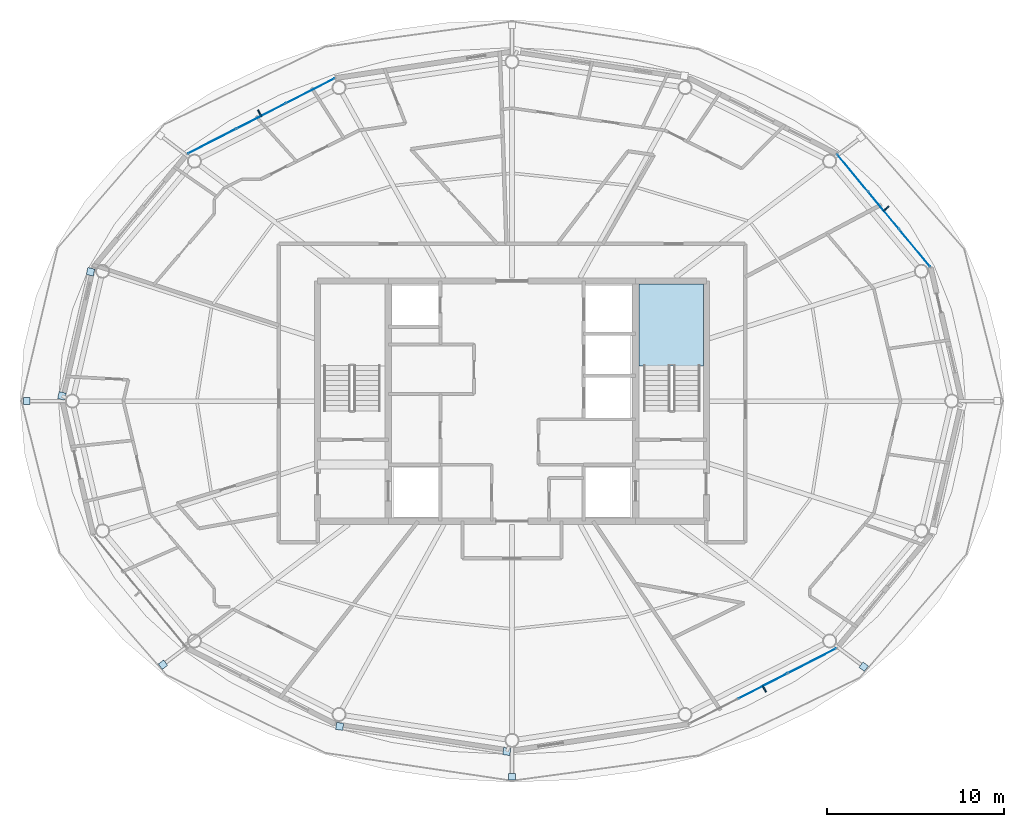
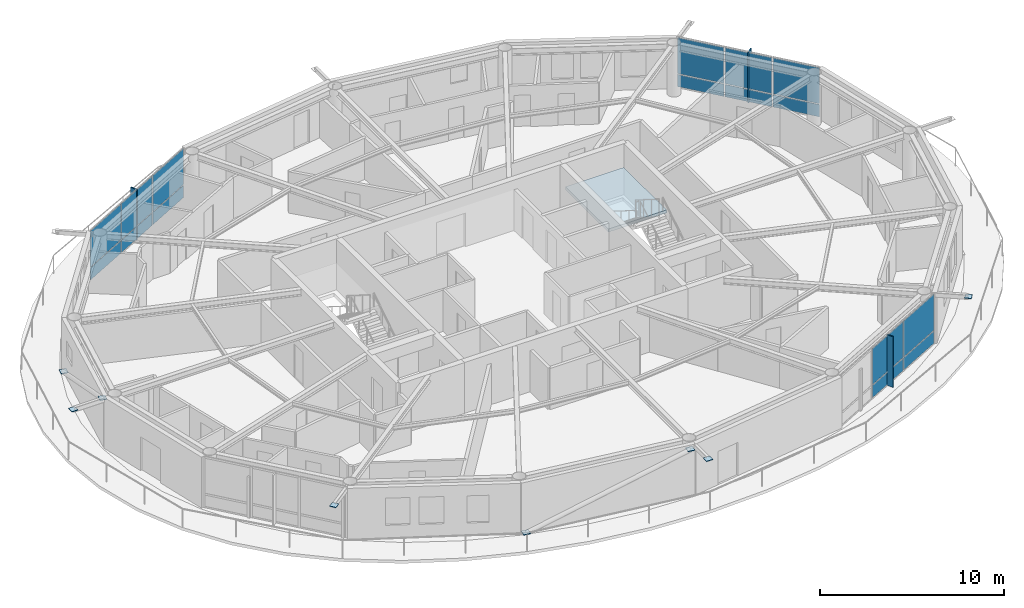
# One storey, part 14 of 22: 27 plates, 1 slab, 4 elements without a shape of their own.
"""IFC4 building model written with IfcOpenShell, lengths in metres."""

from ifc_helpers import new_model, si_unit, direction, frame, origin, origin_2d, place, context, subcontext, project, spatial, polyline, rectangle, outline, extrude, material, layer, layer_set, type_object, element, aggregate, save


model = new_model("IFC4")

# Units and contexts
model_context = context("Model", 3, precision=1e-05, world=origin(), true_north=direction((0.0, 1.0)))
body_context = subcontext(model_context, "Body", "Model", "MODEL_VIEW")
ifc_project = project(units=[si_unit("LENGTHUNIT", "METRE"), si_unit("AREAUNIT", "SQUARE_METRE"), si_unit("VOLUMEUNIT", "CUBIC_METRE"), si_unit("PLANEANGLEUNIT", "RADIAN"), si_unit("MASSUNIT", "GRAM", prefix="KILO")], contexts=[model_context])

# Site, building, storey
site_placement = place(None, origin())
site = spatial("IfcSite", under=ifc_project, at=site_placement, CompositionType="ELEMENT")
building_placement = place(site_placement, origin())
building = spatial("IfcBuilding", under=site, at=building_placement, Name="Sarneth Arch Tower", CompositionType="ELEMENT")
storey_placement = place(building_placement, frame((0.0, 0.0, 287.39990234375)))
storey = spatial("IfcBuildingStorey", under=building, at=storey_placement, Name="L74", CompositionType="ELEMENT", Elevation=287.39990234375)

# Curtain wall, plates
ifc_material_1 = material(Name="Anodised aluminium Type AA25 and solar-control low-e laminated IGU", Category="aluminium")
ifc_layer_1 = layer(ifc_material_1, 0.179931640625)
ifc_layer_set_1 = layer_set([ifc_layer_1], Name="Anodised aluminium Type AA25 and solar-control low-e laminated IGU")
curtain_wall_type = type_object("IfcCurtainWallType", Name="CW-RES-HIGH", PredefinedType="NOTDEFINED", material=ifc_layer_set_1)
curtain_wall_1_placement = place(storey_placement, origin())
curtain_wall_1 = element("IfcCurtainWall", 1, at=curtain_wall_1_placement, inside=storey, type_object=curtain_wall_type, Name="L74 Unitised curtain wall facet 02", PredefinedType="NOTDEFINED")
ifc_material_2 = material(Name="Solar-control low-e laminated IGU", Category="glass")
ifc_layer_2 = layer(ifc_material_2, 0.028076171875)
ifc_layer_set_2 = layer_set([ifc_layer_2], Name="Solar-control low-e laminated IGU")
plate_type_1 = type_object("IfcPlateType", Name="CW-PANEL", PredefinedType="CURTAIN_PANEL", material=ifc_layer_set_2)
plate_1_placement = place(storey_placement, frame((70.799072265625, 50.650634765625, 0.06005859375), z_axis=(0.0, 0.0, 1.0), x_axis=(-0.637610094184, 0.770359245933, 0.0)))
plate_1 = element("IfcPlate", 2, at=plate_1_placement, type_object=plate_type_1, Name="Curtain wall glazed vision pane CW-L74-F02/P00-00", PredefinedType="CURTAIN_PANEL", context=body_context, shape_type="SweptSolid", body=[
    extrude(rectangle(XDim=2.686767578125, YDim=0.028076171875, at=origin_2d()), origin(), (0.0, 0.0, 1.0), 0.81005859375),
])
plate_2_placement = place(storey_placement, frame((70.799072265625, 50.650634765625, 0.93017578125), z_axis=(0.0, 0.0, 1.0), x_axis=(-0.637610094184, 0.770359245933, 0.0)))
plate_2 = element("IfcPlate", 3, at=plate_2_placement, type_object=plate_type_1, Name="Curtain wall glazed vision pane CW-L74-F02/P00-01", PredefinedType="CURTAIN_PANEL", context=body_context, shape_type="SweptSolid", body=[
    extrude(rectangle(XDim=2.686767578125, YDim=0.028076171875, at=origin_2d()), origin(), (0.0, 0.0, 1.0), 2.3798828125),
])
plate_3_placement = place(storey_placement, frame((69.0380859375, 52.778076171875, 0.06005859375), z_axis=(0.0, 0.0, 1.0), x_axis=(-0.637610094184, 0.770359245933, 0.0)))
plate_3 = element("IfcPlate", 4, at=plate_3_placement, type_object=plate_type_1, Name="Curtain wall glazed vision pane CW-L74-F02/P01-00", PredefinedType="CURTAIN_PANEL", context=body_context, shape_type="SweptSolid", body=[
    extrude(rectangle(XDim=2.716552734375, YDim=0.028076171875, at=origin_2d()), origin(), (0.0, 0.0, 1.0), 0.81005859375),
])
plate_4_placement = place(storey_placement, frame((69.0380859375, 52.778076171875, 0.93017578125), z_axis=(0.0, 0.0, 1.0), x_axis=(-0.637610094184, 0.770359245933, 0.0)))
plate_4 = element("IfcPlate", 5, at=plate_4_placement, type_object=plate_type_1, Name="Curtain wall glazed vision pane CW-L74-F02/P01-01", PredefinedType="CURTAIN_PANEL", context=body_context, shape_type="SweptSolid", body=[
    extrude(rectangle(XDim=2.716552734375, YDim=0.028076171875, at=origin_2d()), origin(), (0.0, 0.0, 1.0), 2.3798828125),
])
plate_5_placement = place(storey_placement, frame((67.27734375, 54.905517578125, 0.06005859375), z_axis=(0.0, 0.0, 1.0), x_axis=(-0.637610094184, 0.770359245933, 0.0)))
plate_5 = element("IfcPlate", 6, at=plate_5_placement, type_object=plate_type_1, Name="Curtain wall glazed vision pane CW-L74-F02/P02-00", PredefinedType="CURTAIN_PANEL", context=body_context, shape_type="SweptSolid", body=[
    extrude(rectangle(XDim=2.686767578125, YDim=0.028076171875, at=origin_2d()), origin(), (0.0, 0.0, 1.0), 0.81005859375),
])
plate_6_placement = place(storey_placement, frame((67.27734375, 54.905517578125, 0.93017578125), z_axis=(0.0, 0.0, 1.0), x_axis=(-0.637610094184, 0.770359245933, 0.0)))
plate_6 = element("IfcPlate", 7, at=plate_6_placement, type_object=plate_type_1, Name="Curtain wall glazed vision pane CW-L74-F02/P02-01", PredefinedType="CURTAIN_PANEL", context=body_context, shape_type="SweptSolid", body=[
    extrude(rectangle(XDim=2.686767578125, YDim=0.028076171875, at=origin_2d()), origin(), (0.0, 0.0, 1.0), 2.3798828125),
])
aggregate(curtain_wall_1, [plate_1, plate_2, plate_3, plate_4, plate_5, plate_6])

curtain_wall_2_placement = place(storey_placement, origin())
curtain_wall_2 = element("IfcCurtainWall", 8, at=curtain_wall_2_placement, inside=storey, type_object=curtain_wall_type, Name="L74 Unitised curtain wall facet 06", PredefinedType="NOTDEFINED")
plate_7_placement = place(storey_placement, frame((36.5791015625, 59.552978515625, 0.06005859375), z_axis=(0.0, 0.0, 1.0), x_axis=(-0.890009540525, -0.455941901753, 0.0)))
plate_7 = element("IfcPlate", 9, at=plate_7_placement, type_object=plate_type_1, Name="Curtain wall glazed vision pane CW-L74-F06/P00-00", PredefinedType="CURTAIN_PANEL", context=body_context, shape_type="SweptSolid", body=[
    extrude(rectangle(XDim=3.044677734375, YDim=0.028076171875, at=origin_2d()), origin(), (0.0, 0.0, 1.0), 0.81005859375),
])
plate_8_placement = place(storey_placement, frame((36.5791015625, 59.552978515625, 0.93017578125), z_axis=(0.0, 0.0, 1.0), x_axis=(-0.890009540525, -0.455941901753, 0.0)))
plate_8 = element("IfcPlate", 10, at=plate_8_placement, type_object=plate_type_1, Name="Curtain wall glazed vision pane CW-L74-F06/P00-01", PredefinedType="CURTAIN_PANEL", context=body_context, shape_type="SweptSolid", body=[
    extrude(rectangle(XDim=3.044677734375, YDim=0.028076171875, at=origin_2d()), origin(), (0.0, 0.0, 1.0), 2.3798828125),
])
plate_9_placement = place(storey_placement, frame((33.802490234375, 58.13037109375, 0.06005859375), z_axis=(0.0, 0.0, 1.0), x_axis=(-0.890009540525, -0.455941901753, 0.0)))
plate_9 = element("IfcPlate", 11, at=plate_9_placement, type_object=plate_type_1, Name="Curtain wall glazed vision pane CW-L74-F06/P01-00", PredefinedType="CURTAIN_PANEL", context=body_context, shape_type="SweptSolid", body=[
    extrude(rectangle(XDim=3.07470703125, YDim=0.028076171875, at=origin_2d()), origin(), (0.0, 0.0, 1.0), 0.81005859375),
])
plate_10_placement = place(storey_placement, frame((33.802490234375, 58.13037109375, 0.93017578125), z_axis=(0.0, 0.0, 1.0), x_axis=(-0.890009540525, -0.455941901753, 0.0)))
plate_10 = element("IfcPlate", 12, at=plate_10_placement, type_object=plate_type_1, Name="Curtain wall glazed vision pane CW-L74-F06/P01-01", PredefinedType="CURTAIN_PANEL", context=body_context, shape_type="SweptSolid", body=[
    extrude(rectangle(XDim=3.07470703125, YDim=0.028076171875, at=origin_2d()), origin(), (0.0, 0.0, 1.0), 2.3798828125),
])
plate_11_placement = place(storey_placement, frame((31.02587890625, 56.7080078125, 0.06005859375), z_axis=(0.0, 0.0, 1.0), x_axis=(-0.890009540525, -0.455941901753, 0.0)))
plate_11 = element("IfcPlate", 13, at=plate_11_placement, type_object=plate_type_1, Name="Curtain wall glazed vision pane CW-L74-F06/P02-00", PredefinedType="CURTAIN_PANEL", context=body_context, shape_type="SweptSolid", body=[
    extrude(rectangle(XDim=3.044677734375, YDim=0.028076171875, at=origin_2d()), origin(), (0.0, 0.0, 1.0), 0.81005859375),
])
plate_12_placement = place(storey_placement, frame((31.02587890625, 56.7080078125, 0.93017578125), z_axis=(0.0, 0.0, 1.0), x_axis=(-0.890009540525, -0.455941901753, 0.0)))
plate_12 = element("IfcPlate", 14, at=plate_12_placement, type_object=plate_type_1, Name="Curtain wall glazed vision pane CW-L74-F06/P02-01", PredefinedType="CURTAIN_PANEL", context=body_context, shape_type="SweptSolid", body=[
    extrude(rectangle(XDim=3.044677734375, YDim=0.028076171875, at=origin_2d()), origin(), (0.0, 0.0, 1.0), 2.3798828125),
])
aggregate(curtain_wall_2, [plate_7, plate_8, plate_9, plate_10, plate_11, plate_12])

curtain_wall_3_placement = place(storey_placement, origin())
curtain_wall_3 = element("IfcCurtainWall", 15, at=curtain_wall_3_placement, inside=storey, type_object=curtain_wall_type, Name="L74 Unitised curtain wall facet 14", PredefinedType="NOTDEFINED")
plate_13_placement = place(storey_placement, frame((62.197509765625, 25.86962890625, 0.06005859375), z_axis=(0.0, 0.0, 1.0), x_axis=(0.890009540525, 0.455941901753, 0.0)))
plate_13 = element("IfcPlate", 16, at=plate_13_placement, type_object=plate_type_1, Name="Curtain wall glazed vision pane CW-L74-F14/P01-00", PredefinedType="CURTAIN_PANEL", context=body_context, shape_type="SweptSolid", body=[
    extrude(rectangle(XDim=3.07470703125, YDim=0.028076171875, at=origin_2d()), origin(), (0.0, 0.0, 1.0), 0.81005859375),
])
plate_14_placement = place(storey_placement, frame((62.197509765625, 25.86962890625, 0.93017578125), z_axis=(0.0, 0.0, 1.0), x_axis=(0.890009540525, 0.455941901753, 0.0)))
plate_14 = element("IfcPlate", 17, at=plate_14_placement, type_object=plate_type_1, Name="Curtain wall glazed vision pane CW-L74-F14/P01-01", PredefinedType="CURTAIN_PANEL", context=body_context, shape_type="SweptSolid", body=[
    extrude(rectangle(XDim=3.07470703125, YDim=0.028076171875, at=origin_2d()), origin(), (0.0, 0.0, 1.0), 2.3798828125),
])
plate_15_placement = place(storey_placement, frame((64.97412109375, 27.2919921875, 0.06005859375), z_axis=(0.0, 0.0, 1.0), x_axis=(0.890009540525, 0.455941901753, 0.0)))
plate_15 = element("IfcPlate", 18, at=plate_15_placement, type_object=plate_type_1, Name="Curtain wall glazed vision pane CW-L74-F14/P02-00", PredefinedType="CURTAIN_PANEL", context=body_context, shape_type="SweptSolid", body=[
    extrude(rectangle(XDim=3.044677734375, YDim=0.028076171875, at=origin_2d()), origin(), (0.0, 0.0, 1.0), 0.81005859375),
])
plate_16_placement = place(storey_placement, frame((64.97412109375, 27.2919921875, 0.93017578125), z_axis=(0.0, 0.0, 1.0), x_axis=(0.890009540525, 0.455941901753, 0.0)))
plate_16 = element("IfcPlate", 19, at=plate_16_placement, type_object=plate_type_1, Name="Curtain wall glazed vision pane CW-L74-F14/P02-01", PredefinedType="CURTAIN_PANEL", context=body_context, shape_type="SweptSolid", body=[
    extrude(rectangle(XDim=3.044677734375, YDim=0.028076171875, at=origin_2d()), origin(), (0.0, 0.0, 1.0), 2.3798828125),
])
aggregate(curtain_wall_3, [plate_13, plate_14, plate_15, plate_16])

# Plates
ifc_material_3 = material(Name="Steel S355", Category="steel")
ifc_layer_3 = layer(ifc_material_3, 0.035888671875)
ifc_layer_set_3 = layer_set([ifc_layer_3], Name="Steel S355")
plate_type_2 = type_object("IfcPlateType", Name="PLT-GUSSET-30", PredefinedType="SHEET", material=ifc_layer_set_3)
for number, where, z_axis, x_axis, name in (
    (20, (24.148193359375, 49.3154296875, 0.001953125), (0.0, 0.0, 1.0), (-0.225461202458, -0.974252147129, 0.0), "Steel end cap plate GP-1"),
    (21, (22.5234375, 42.292236328125, 3.07421875), (0.0, 0.0, 1.0), (-0.225461202458, -0.974252147129, 0.0), "Steel end cap plate GP-1"),
):
    element("IfcPlate", number, at=place(storey_placement, frame(where, z_axis=z_axis, x_axis=x_axis)), inside=storey, type_object=plate_type_2, Name=name, PredefinedType="SHEET", context=body_context, shape_type="SweptSolid", body=[
        extrude(rectangle(XDim=0.404052734375, YDim=0.404052734375, at=origin_2d()), origin(), (0.0, 0.0, 1.0), 0.035888671875),
    ])
for number, where, z_axis, x_axis, name in (
    (22, (20.533447265625, 42.0, 3.1923828125), (0.0, 0.0, 1.0), (-1.0, 0.0, 0.0), "Steel end cap plate GP-1"),
    (23, (28.24462890625, 27.078857421875, 3.1923828125), (0.0, 0.0, 1.0), (-0.798004853043, -0.602651022168, 0.0), "Steel end cap plate GP-1"),
):
    element("IfcPlate", number, at=place(storey_placement, frame(where, z_axis=z_axis, x_axis=x_axis)), inside=storey, type_object=plate_type_2, Name=name, PredefinedType="SHEET", context=body_context, shape_type="SweptSolid", body=[
        extrude(rectangle(XDim=0.3798828125, YDim=0.3798828125, at=origin_2d()), origin(), (0.0, 0.0, 1.0), 0.035888671875),
    ])
for number, where, z_axis, x_axis, name in (
    (24, (38.245849609375, 23.588623046875, 0.001953125), (0.0, 0.0, 1.0), (0.988860535448, -0.148845024885, 0.0), "Steel end cap plate GP-1"),
    (25, (47.703369140625, 22.16455078125, 3.07421875), (0.0, 0.0, 1.0), (0.988860535448, -0.148845024885, 0.0), "Steel end cap plate GP-1"),
):
    element("IfcPlate", number, at=place(storey_placement, frame(where, z_axis=z_axis, x_axis=x_axis)), inside=storey, type_object=plate_type_2, Name=name, PredefinedType="SHEET", context=body_context, shape_type="SweptSolid", body=[
        extrude(rectangle(XDim=0.404052734375, YDim=0.404052734375, at=origin_2d()), origin(), (0.0, 0.0, 1.0), 0.035888671875),
    ])
for number, where, z_axis, x_axis, name in (
    (26, (48.0, 20.7333984375, 3.1923828125), (0.0, 0.0, 1.0), (0.0, -1.0, 0.0), "Steel end cap plate GP-1"),
    (27, (67.905517578125, 26.965576171875, 3.1923828125), (0.0, 0.0, 1.0), (0.798004853043, -0.602651022168, 0.0), "Steel end cap plate GP-1"),
):
    element("IfcPlate", number, at=place(storey_placement, frame(where, z_axis=z_axis, x_axis=x_axis)), inside=storey, type_object=plate_type_2, Name=name, PredefinedType="SHEET", context=body_context, shape_type="SweptSolid", body=[
        extrude(rectangle(XDim=0.3798828125, YDim=0.3798828125, at=origin_2d()), origin(), (0.0, 0.0, 1.0), 0.035888671875),
    ])
ifc_material_4 = material(Name="Extruded glazed terracotta baguette fin on Aluminium 6063-T6 carrier", Category="masonry")
ifc_layer_4 = layer(ifc_material_4, 0.080078125)
ifc_layer_set_4 = layer_set([ifc_layer_4], Name="Extruded glazed terracotta baguette fin on Aluminium 6063-T6 carrier")
plate_type_3 = type_object("IfcPlateType", Name="SHADE-TERRA-FIN", PredefinedType="SHEET", material=ifc_layer_set_4)
for number, where, z_axis, x_axis, name in (
    (28, (69.169189453125, 52.886474609375, 0.010009765625), (0.0, 0.0, 1.0), (0.770401979567, 0.63755845997, 0.0), "L74 Terracotta vertical shading fin 02"),
    (29, (33.724853515625, 58.28173828125, 0.010009765625), (0.0, 0.0, 1.0), (-0.456010959102, 0.889974159838, 0.0), "L74 Terracotta vertical shading fin 06"),
    (30, (62.275146484375, 25.71826171875, 0.010009765625), (0.0, 0.0, 1.0), (0.456010959102, -0.889974159838, 0.0), "L74 Terracotta vertical shading fin 14"),
):
    element("IfcPlate", number, at=place(storey_placement, frame(where, z_axis=z_axis, x_axis=x_axis)), inside=storey, type_object=plate_type_3, Name=name, PredefinedType="SHEET", context=body_context, shape_type="SweptSolid", body=[
        extrude(rectangle(XDim=0.419921875, YDim=0.080078125, at=origin_2d()), origin(), (0.0, 0.0, 1.0), 3.35009765625),
    ])

# Stair, slab
ifc_material_5 = material(Name="Concrete C50/60", Category="concrete")
stair_type = type_object("IfcStairType", Name="STAIR-CORE-RC", PredefinedType="HALF_TURN_STAIR", material=ifc_material_5)
stair_placement = place(storey_placement, origin())
stair = element("IfcStair", 31, at=stair_placement, inside=storey, type_object=stair_type, Name="L74 Core Exit Stair 2", PredefinedType="HALF_TURN_STAIR")
ifc_material_6 = material(Name="Concrete C50/60", Category="concrete")
ifc_layer_5 = layer(ifc_material_6, 0.199951171875)
ifc_layer_set_5 = layer_set([ifc_layer_5], Name="Concrete C50/60")
slab_type = type_object("IfcSlabType", Name="SLAB-LANDING-200", PredefinedType="LANDING", material=ifc_layer_set_5)
slab_placement = place(storey_placement, frame((0.0, 0.0, 1.60009765625)))
slab = element("IfcSlab", 32, at=slab_placement, type_object=slab_type, Name="ST-2 landing 1", PredefinedType="LANDING", context=body_context, shape_type="SweptSolid", body=[
    extrude(outline(polyline([(55.175048828125, 43.985107421875), (58.824951171875, 43.985107421875), (58.824951171875, 48.625), (55.175048828125, 48.625), (55.175048828125, 43.985107421875)])), origin(), (0.0, 0.0, 1.0), 0.199951171875),
])
aggregate(stair, [slab])

save(model, "model.ifc")
